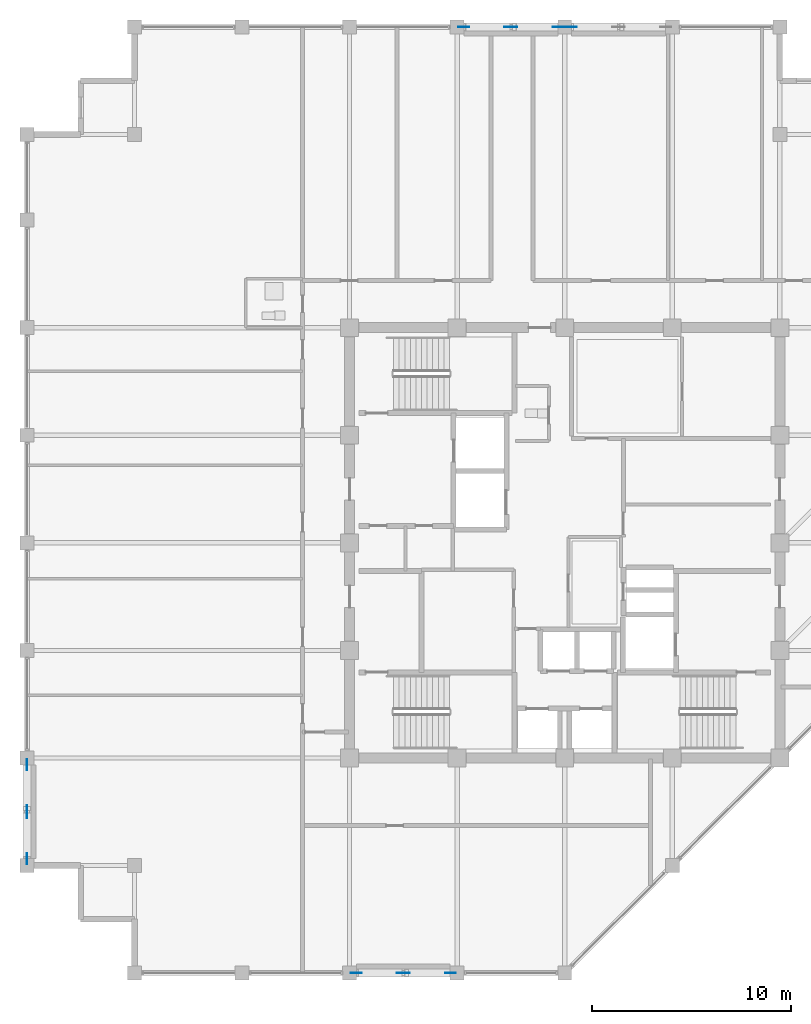
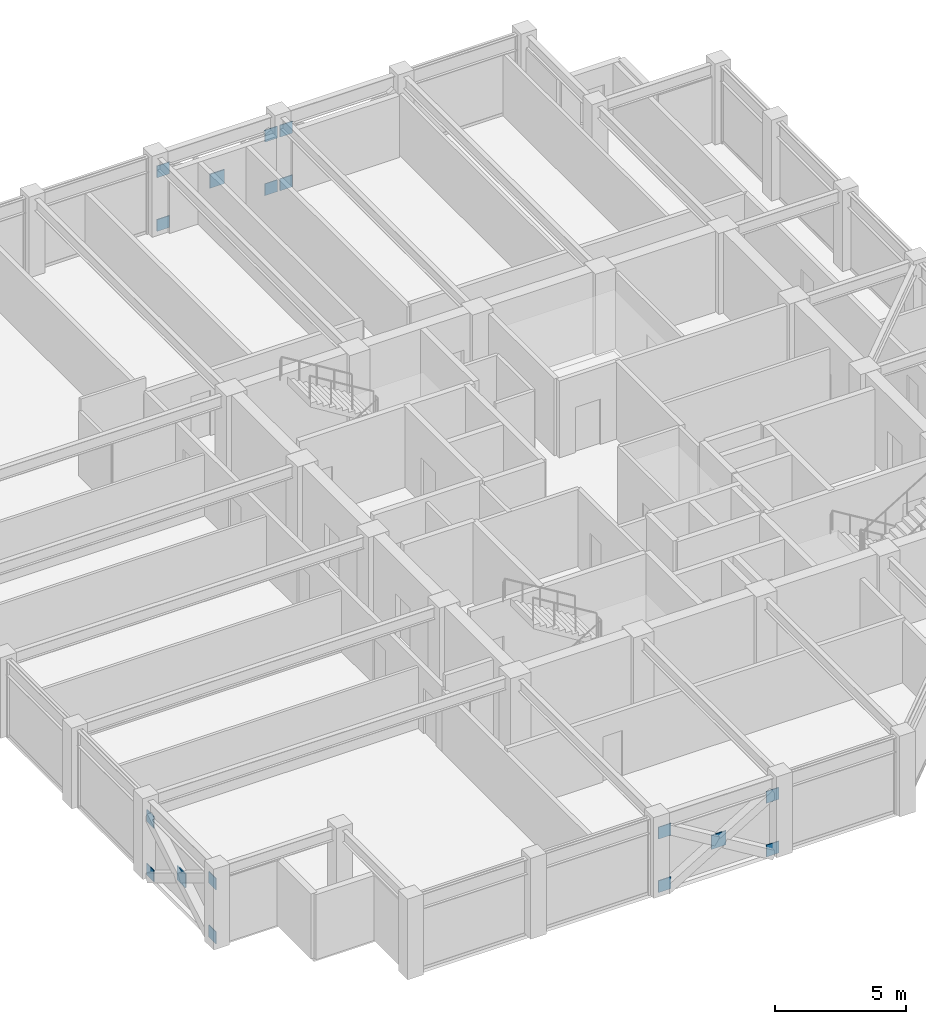
# One storey, part 24 of 31: 17 plates.
"""IFC4 building model written with IfcOpenShell, lengths in metres."""

from ifc_helpers import new_model, si_unit, direction, frame, origin, origin_2d, place, context, subcontext, project, spatial, rectangle, extrude, material, layer, layer_set, type_object, element, save


model = new_model("IFC4")

# Units and contexts
model_context = context("Model", 3, precision=1e-05, world=origin(), true_north=direction((0.0, 1.0)))
body_context = subcontext(model_context, "Body", "Model", "MODEL_VIEW")
ifc_project = project(units=[si_unit("LENGTHUNIT", "METRE"), si_unit("AREAUNIT", "SQUARE_METRE"), si_unit("VOLUMEUNIT", "CUBIC_METRE"), si_unit("PLANEANGLEUNIT", "RADIAN"), si_unit("MASSUNIT", "GRAM", prefix="KILO")], contexts=[model_context])

# Site, building, storey
site_placement = place(None, origin())
site = spatial("IfcSite", under=ifc_project, at=site_placement, CompositionType="ELEMENT")
building_placement = place(site_placement, origin())
building = spatial("IfcBuilding", under=site, at=building_placement, Name="Surkhivell Harbour Commons", CompositionType="ELEMENT")
storey_placement = place(building_placement, frame((0.0, 0.0, 285.0)))
storey = spatial("IfcBuildingStorey", under=building, at=storey_placement, Name="L74", CompositionType="ELEMENT", Elevation=285.0)

# Plates
ifc_material = material(Name="Steel S460", Category="steel")
ifc_layer_1 = layer(ifc_material, 0.035888671875)
ifc_layer_set_1 = layer_set([ifc_layer_1], Name="Steel S460")
plate_type_1 = type_object("IfcPlateType", Name="PLT-GUS-550", PredefinedType="USERDEFINED", material=ifc_layer_set_1)
for number, where, z_axis, x_axis, name in (
    (1, (-5.06494140625, 25.89990234375, -0.07470703125), (0.0, 0.0, 1.0), (1.0, 0.0, 0.0), "L74 Perimeter Mega-Brace MB- Corner Gusset N-1"),
    (2, (-0.3349609375, 25.89990234375, -0.07470703125), (0.0, 0.0, 1.0), (1.0, 0.0, 0.0), "L74 Perimeter Mega-Brace MB- Corner Gusset N-2"),
    (3, (-5.06494140625, 25.89990234375, 2.41357421875), (0.0, 0.0, 1.0), (1.0, 0.0, 0.0), "L74 Perimeter Mega-Brace MB- Corner Gusset N-3"),
    (4, (-0.3349609375, 25.89990234375, 2.41357421875), (0.0, 0.0, 1.0), (1.0, 0.0, 0.0), "L74 Perimeter Mega-Brace MB- Corner Gusset N-4"),
    (5, (0.3349609375, 25.89990234375, -0.07470703125), (0.0, 0.0, 1.0), (1.0, 0.0, 0.0), "L74 Perimeter Mega-Brace MB- Corner Gusset N2-1"),
    (6, (0.3349609375, 25.89990234375, 2.41357421875), (0.0, 0.0, 1.0), (1.0, 0.0, 0.0), "L74 Perimeter Mega-Brace MB- Corner Gusset N2-3"),
    (7, (-10.465087890625, -21.60009765625, -0.07470703125), (0.0, 0.0, 1.0), (1.0, 0.0, 0.0), "L74 Perimeter Mega-Brace MB- Corner Gusset S-1"),
    (8, (-5.735107421875, -21.60009765625, -0.07470703125), (0.0, 0.0, 1.0), (1.0, 0.0, 0.0), "L74 Perimeter Mega-Brace MB- Corner Gusset S-2"),
    (9, (-10.465087890625, -21.60009765625, 2.41357421875), (0.0, 0.0, 1.0), (1.0, 0.0, 0.0), "L74 Perimeter Mega-Brace MB- Corner Gusset S-3"),
    (10, (-5.735107421875, -21.60009765625, 2.41357421875), (0.0, 0.0, 1.0), (1.0, 0.0, 0.0), "L74 Perimeter Mega-Brace MB- Corner Gusset S-4"),
    (11, (-27.0, -15.864990234375, -0.07470703125), (0.0, 0.0, 1.0), (0.0, 1.0, 0.0), "L74 Perimeter Mega-Brace MB- Corner Gusset W-1"),
    (12, (-27.0, -11.135009765625, -0.07470703125), (0.0, 0.0, 1.0), (0.0, 1.0, 0.0), "L74 Perimeter Mega-Brace MB- Corner Gusset W-2"),
    (13, (-27.0, -15.864990234375, 2.41357421875), (0.0, 0.0, 1.0), (0.0, 1.0, 0.0), "L74 Perimeter Mega-Brace MB- Corner Gusset W-3"),
    (14, (-27.0, -11.135009765625, 2.41357421875), (0.0, 0.0, 1.0), (0.0, 1.0, 0.0), "L74 Perimeter Mega-Brace MB- Corner Gusset W-4"),
):
    element("IfcPlate", number, at=place(storey_placement, frame(where, z_axis=z_axis, x_axis=x_axis)), inside=storey, type_object=plate_type_1, Name=name, ObjectType="GUSSET_PLATE", PredefinedType="USERDEFINED", context=body_context, shape_type="SweptSolid", body=[
        extrude(rectangle(XDim=0.550048828125, YDim=0.035888671875, at=origin_2d()), origin(), (0.0, 0.0, 1.0), 0.550048828125),
    ])
ifc_layer_2 = layer(ifc_material, 0.044921875)
ifc_layer_set_2 = layer_set([ifc_layer_2], Name="Steel S460")
plate_type_2 = type_object("IfcPlateType", Name="PLT-GUS-650", PredefinedType="USERDEFINED", material=ifc_layer_set_2)
for number, where, z_axis, x_axis, name in (
    (15, (-2.699951171875, 25.89990234375, 1.11962890625), (0.0, 0.0, 1.0), (1.0, 0.0, 0.0), "L74 Perimeter Mega-Brace MB- Central Crossing Gusset N"),
    (16, (-8.10009765625, -21.60009765625, 1.11962890625), (0.0, 0.0, 1.0), (1.0, 0.0, 0.0), "L74 Perimeter Mega-Brace MB- Central Crossing Gusset S"),
    (17, (-27.0, -13.5, 1.11962890625), (0.0, 0.0, 1.0), (0.0, 1.0, 0.0), "L74 Perimeter Mega-Brace MB- Central Crossing Gusset W"),
):
    element("IfcPlate", number, at=place(storey_placement, frame(where, z_axis=z_axis, x_axis=x_axis)), inside=storey, type_object=plate_type_2, Name=name, ObjectType="GUSSET_PLATE", PredefinedType="USERDEFINED", context=body_context, shape_type="SweptSolid", body=[
        extrude(rectangle(XDim=0.64990234375, YDim=0.044921875, at=origin_2d()), origin(), (0.0, 0.0, 1.0), 0.64990234375),
    ])

save(model, "model.ifc")
